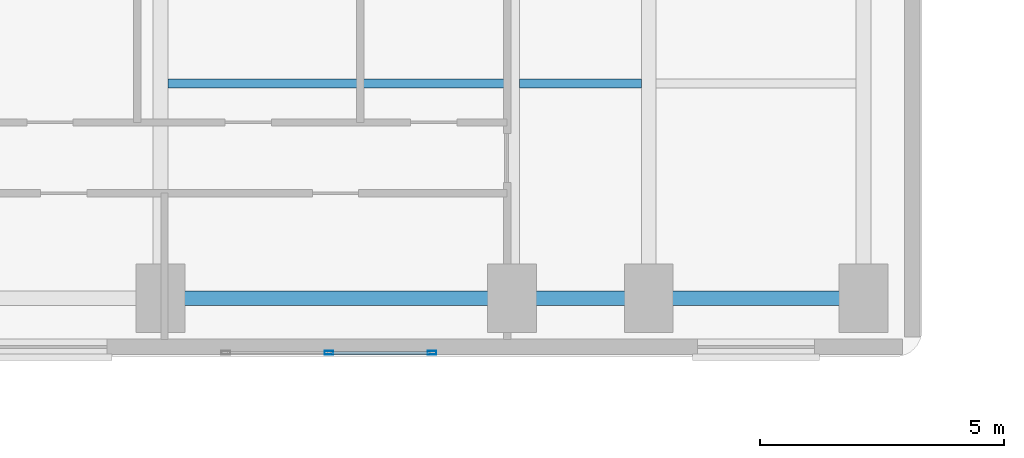
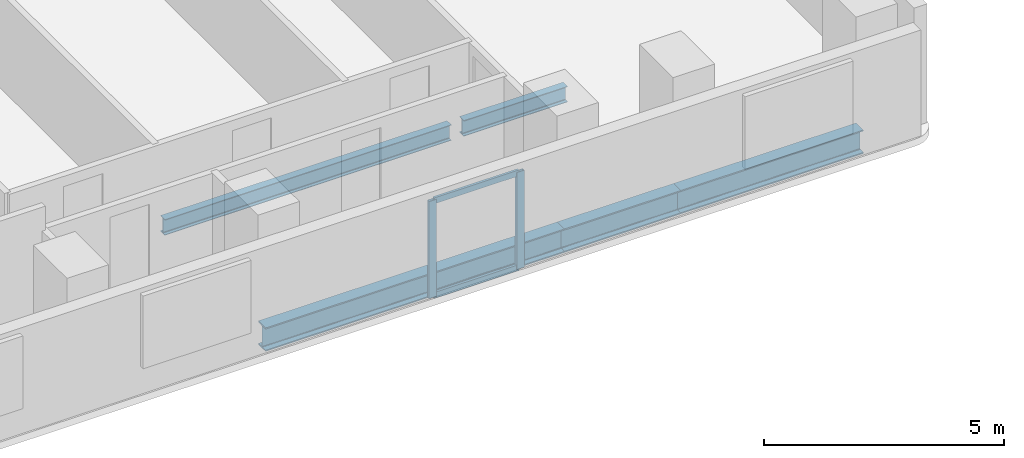
# One storey, part 6 of 16: 5 beams, 4 members, 1 element without a shape of its own.
"""IFC4 building model written with IfcOpenShell, lengths in metres."""

from ifc_helpers import new_model, si_unit, direction, frame, origin, origin_2d, place, context, subcontext, project, spatial, hollow_rectangle, i_section, extrude, material, material_profile, profile_set, type_object, element, aggregate, save


model = new_model("IFC4")

# Units and contexts
model_context = context("Model", 3, precision=1e-05, world=origin(), true_north=direction((0.0, 1.0)))
body_context = subcontext(model_context, "Body", "Model", "MODEL_VIEW")
ifc_project = project(units=[si_unit("LENGTHUNIT", "METRE"), si_unit("AREAUNIT", "SQUARE_METRE"), si_unit("VOLUMEUNIT", "CUBIC_METRE"), si_unit("PLANEANGLEUNIT", "RADIAN"), si_unit("MASSUNIT", "GRAM", prefix="KILO")], contexts=[model_context])

# Site, building, storey
site_placement = place(None, origin())
site = spatial("IfcSite", under=ifc_project, at=site_placement, CompositionType="ELEMENT")
building_placement = place(site_placement, origin())
building = spatial("IfcBuilding", under=site, at=building_placement, Name="Kuzgunbayir Cultural Tower", CompositionType="ELEMENT")
storey_placement = place(building_placement, frame((0.0, 0.0, 66.0)))
storey = spatial("IfcBuildingStorey", under=building, at=storey_placement, Name="L18", CompositionType="ELEMENT", Elevation=66.0)

# Beams
ifc_material_1 = material(Name="Steel S355J2", Category="steel")
ifc_material_profile_1 = material_profile(ifc_material_1, i_section(OverallWidth=0.300048828125, OverallDepth=0.60009765625, WebThickness=0.015380859375, FlangeThickness=0.030029296875, FilletRadius=0.027099609375, at=origin_2d()), Name="HEB 600")
ifc_profile_set_1 = profile_set([ifc_material_profile_1], Name="Steel S355J2")
beam_type_1 = type_object("IfcBeamType", Name="BM-EXT-HEB600", PredefinedType="BEAM", material=ifc_profile_set_1)
beam_1_placement = place(storey_placement, frame((31.199951171875, 27.60009765625, -0.47998046875), z_axis=(1.0, 0.0, 0.0), x_axis=(0.0, 1.0, 0.0)))
element("IfcBeam", 1, at=beam_1_placement, inside=storey, type_object=beam_type_1, Name="L18 Wing B South Girder 2", PredefinedType="BEAM", context=body_context, shape_type="SweptSolid", body=[
    extrude(i_section(OverallWidth=0.300048828125, OverallDepth=0.60009765625, WebThickness=0.015380859375, FlangeThickness=0.030029296875, FilletRadius=0.027099609375, at=origin_2d()), origin(), (0.0, 0.0, 1.0), 7.199951171875),
])
beam_2_placement = place(storey_placement, frame((38.39990234375, 27.60009765625, -0.47998046875), z_axis=(1.0, 0.0, 0.0), x_axis=(0.0, 1.0, 0.0)))
element("IfcBeam", 2, at=beam_2_placement, inside=storey, type_object=beam_type_1, Name="L18 Wing B South Girder 3", PredefinedType="BEAM", context=body_context, shape_type="SweptSolid", body=[
    extrude(i_section(OverallWidth=0.300048828125, OverallDepth=0.60009765625, WebThickness=0.015380859375, FlangeThickness=0.030029296875, FilletRadius=0.027099609375, at=origin_2d()), origin(), (0.0, 0.0, 1.0), 2.800048828125),
])
beam_3_placement = place(storey_placement, frame((41.199951171875, 27.60009765625, -0.47998046875), z_axis=(1.0, 0.0, 0.0), x_axis=(0.0, 1.0, 0.0)))
element("IfcBeam", 3, at=beam_3_placement, inside=storey, type_object=beam_type_1, Name="L18 Wing B South Girder 4", PredefinedType="BEAM", context=body_context, shape_type="SweptSolid", body=[
    extrude(i_section(OverallWidth=0.300048828125, OverallDepth=0.60009765625, WebThickness=0.015380859375, FlangeThickness=0.030029296875, FilletRadius=0.027099609375, at=origin_2d()), origin(), (0.0, 0.0, 1.0), 4.400146484375),
])
ifc_material_profile_2 = material_profile(ifc_material_1, i_section(OverallWidth=0.179931640625, OverallDepth=0.39990234375, WebThickness=0.008544921875, FlangeThickness=0.013427734375, FilletRadius=0.02099609375, at=origin_2d()), Name="IPE 400")
ifc_profile_set_2 = profile_set([ifc_material_profile_2], Name="Steel S355J2")
beam_type_2 = type_object("IfcBeamType", Name="BM-JST-IPE400", PredefinedType="JOIST", material=ifc_profile_set_2)
beam_4_placement = place(storey_placement, frame((31.35009765625, 32.0, -0.3798828125), z_axis=(1.0, 0.0, 0.0), x_axis=(0.0, 1.0, 0.0)))
element("IfcBeam", 4, at=beam_4_placement, inside=storey, type_object=beam_type_2, Name="L18 Wing B Secondary Joist 1.1", PredefinedType="JOIST", context=body_context, shape_type="SweptSolid", body=[
    extrude(i_section(OverallWidth=0.179931640625, OverallDepth=0.39990234375, WebThickness=0.008544921875, FlangeThickness=0.013427734375, FilletRadius=0.02099609375, at=origin_2d()), origin(), (0.0, 0.0, 1.0), 6.89990234375),
])
beam_5_placement = place(storey_placement, frame((38.550048828125, 32.0, -0.3798828125), z_axis=(1.0, 0.0, 0.0), x_axis=(0.0, 1.0, 0.0)))
element("IfcBeam", 5, at=beam_5_placement, inside=storey, type_object=beam_type_2, Name="L18 Wing B Secondary Joist 2.1", PredefinedType="JOIST", context=body_context, shape_type="SweptSolid", body=[
    extrude(i_section(OverallWidth=0.179931640625, OverallDepth=0.39990234375, WebThickness=0.008544921875, FlangeThickness=0.013427734375, FilletRadius=0.02099609375, at=origin_2d()), origin(), (0.0, 0.0, 1.0), 2.5),
])

# Curtain wall, members
ifc_material_2 = material(Name="Anodised Aluminium Framing", Category="aluminium")
curtain_wall_type = type_object("IfcCurtainWallType", Name="CW03-T1-OFFICE", PredefinedType="NOTDEFINED", material=ifc_material_2)
curtain_wall_placement = place(storey_placement, origin())
curtain_wall = element("IfcCurtainWall", 6, at=curtain_wall_placement, inside=storey, type_object=curtain_wall_type, Name="L18 Wing B South Feature Curtain Wall", PredefinedType="NOTDEFINED")
ifc_material_profile_3 = material_profile(ifc_material_2, hollow_rectangle(XDim=0.074951171875, YDim=0.179931640625, WallThickness=0.0048828125, at=origin_2d()), Name="RHS 180x75x5")
ifc_profile_set_3 = profile_set([ifc_material_profile_3], Name="Anodised Aluminium Framing")
member_type_1 = type_object("IfcMemberType", Name="MEM-CW-MULLION-180", PredefinedType="MULLION", material=ifc_profile_set_3)
member_1_placement = place(storey_placement, frame((34.64990234375, 26.47998046875, 0.0), z_axis=(0.0, 0.0, 1.0), x_axis=(0.0, 1.0, 0.0)))
member_1 = element("IfcMember", 7, at=member_1_placement, type_object=member_type_1, Name="CW03 mullion 2", PredefinedType="MULLION", context=body_context, shape_type="SweptSolid", body=[
    extrude(hollow_rectangle(XDim=0.074951171875, YDim=0.179931640625, WallThickness=0.0048828125, at=origin_2d()), origin(), (0.0, 0.0, 1.0), 2.469970703125),
])
member_2_placement = place(storey_placement, frame((36.762451171875, 26.47998046875, 0.0), z_axis=(0.0, 0.0, 1.0), x_axis=(0.0, 1.0, 0.0)))
member_2 = element("IfcMember", 8, at=member_2_placement, type_object=member_type_1, Name="CW03 mullion 3", PredefinedType="MULLION", context=body_context, shape_type="SweptSolid", body=[
    extrude(hollow_rectangle(XDim=0.074951171875, YDim=0.179931640625, WallThickness=0.0048828125, at=origin_2d()), origin(), (0.0, 0.0, 1.0), 2.469970703125),
])
ifc_material_profile_4 = material_profile(ifc_material_2, hollow_rectangle(XDim=0.06005859375, YDim=0.14990234375, WallThickness=0.00390625, at=origin_2d()), Name="RHS 150x60x4")
ifc_profile_set_4 = profile_set([ifc_material_profile_4], Name="Anodised Aluminium Framing")
member_type_2 = type_object("IfcMemberType", Name="MEM-CW-TRANSOM-150", PredefinedType="USERDEFINED", material=ifc_profile_set_4)
member_3_placement = place(storey_placement, frame((34.6875, 26.47998046875, 0.030029296875), z_axis=(1.0, 0.0, 0.0), x_axis=(0.0, 1.0, 0.0)))
member_3 = element("IfcMember", 9, at=member_3_placement, type_object=member_type_2, Name="CW03 transom 2.1", ObjectType="TRANSOM", PredefinedType="USERDEFINED", context=body_context, shape_type="SweptSolid", body=[
    extrude(hollow_rectangle(XDim=0.06005859375, YDim=0.14990234375, WallThickness=0.00390625, at=origin_2d()), origin(), (0.0, 0.0, 1.0), 2.03759765625),
])
member_4_placement = place(storey_placement, frame((34.6875, 26.47998046875, 2.43994140625), z_axis=(1.0, 0.0, 0.0), x_axis=(0.0, 1.0, 0.0)))
member_4 = element("IfcMember", 10, at=member_4_placement, type_object=member_type_2, Name="CW03 transom 2.2", ObjectType="TRANSOM", PredefinedType="USERDEFINED", context=body_context, shape_type="SweptSolid", body=[
    extrude(hollow_rectangle(XDim=0.06005859375, YDim=0.14990234375, WallThickness=0.00390625, at=origin_2d()), origin(), (0.0, 0.0, 1.0), 2.03759765625),
])
aggregate(curtain_wall, [member_1, member_2, member_3, member_4])

save(model, "model.ifc")
